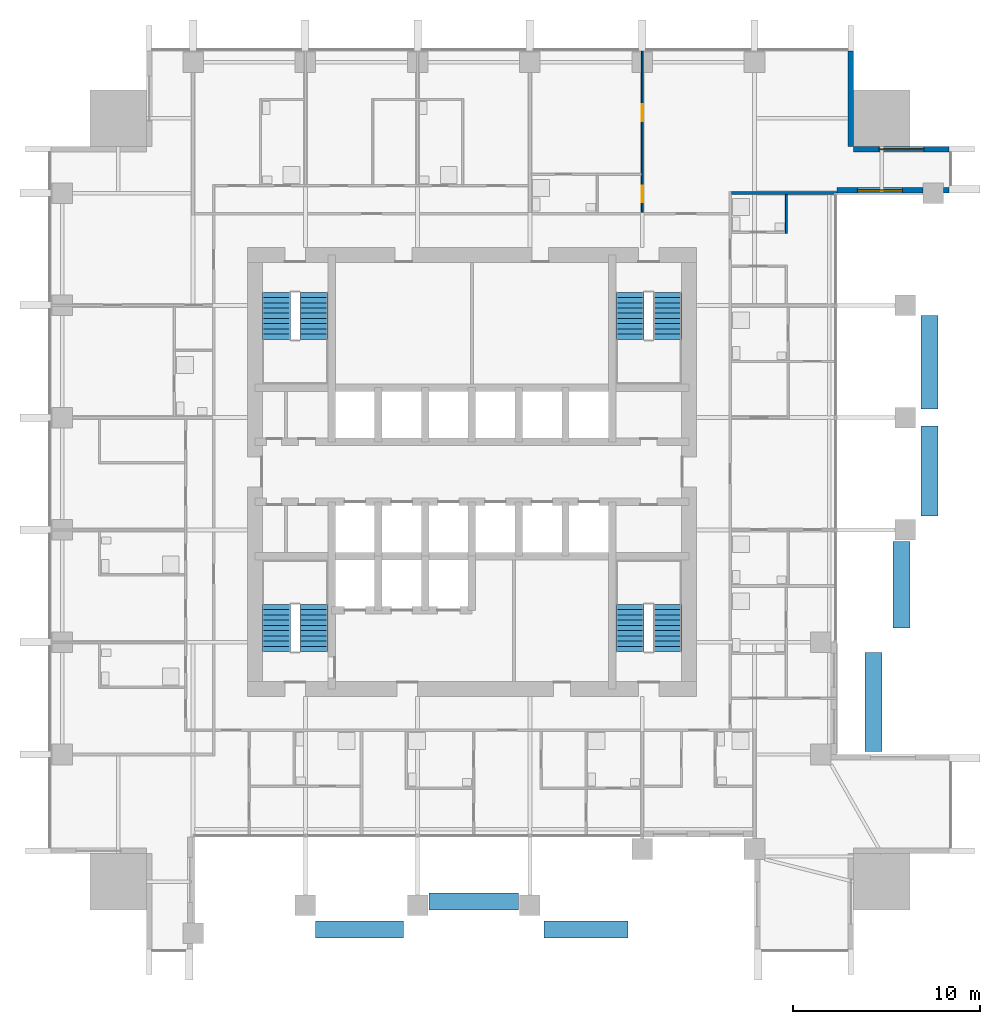
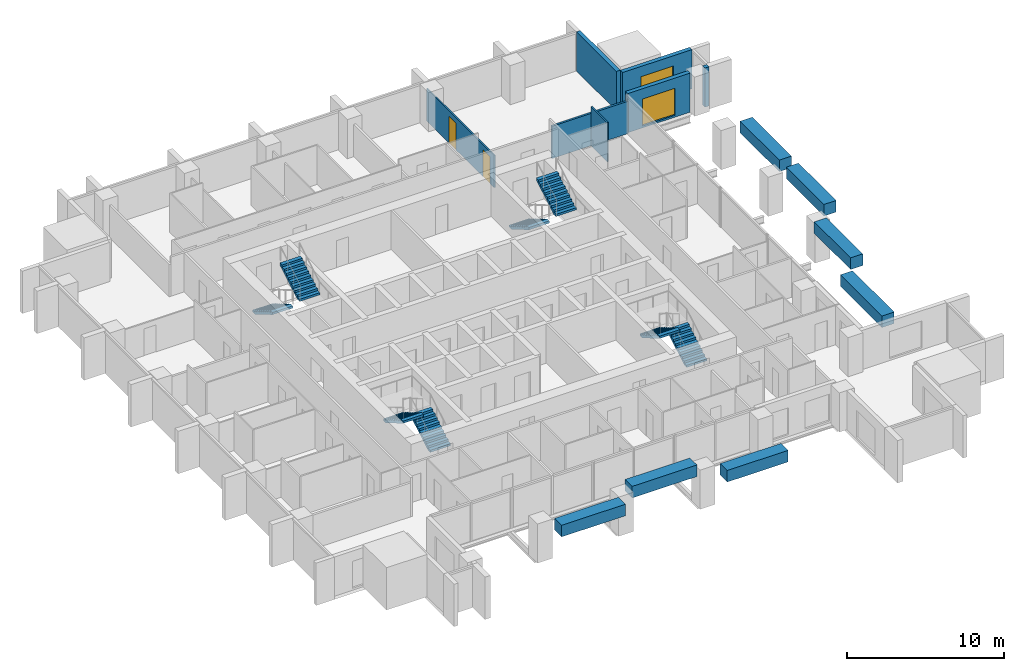
# One storey, part 11 of 13: 8 stair flights, 7 discrete accessories, 7 walls, 2 doors, 2 windows, 4 openings, 4 elements without a shape of their own.
"""IFC4 building model written with IfcOpenShell, lengths in metres."""

from ifc_helpers import new_model, si_unit, direction, frame, frame_2d, origin, origin_2d, place, context, subcontext, project, spatial, polyline, rectangle, outline, extrude, material, layer, layer_set, type_object, element, fill, aggregate, save


model = new_model("IFC4")

# Units and contexts
model_context = context("Model", 3, precision=1e-05, world=origin(), true_north=direction((0.0, 1.0)))
body_context = subcontext(model_context, "Body", "Model", "MODEL_VIEW")
ifc_project = project(units=[si_unit("LENGTHUNIT", "METRE"), si_unit("AREAUNIT", "SQUARE_METRE"), si_unit("VOLUMEUNIT", "CUBIC_METRE"), si_unit("PLANEANGLEUNIT", "RADIAN"), si_unit("MASSUNIT", "GRAM", prefix="KILO")], contexts=[model_context])

# Site, building, storey
site_placement = place(None, origin())
site = spatial("IfcSite", under=ifc_project, at=site_placement, CompositionType="ELEMENT")
building_placement = place(site_placement, origin())
building = spatial("IfcBuilding", under=site, at=building_placement, Name="Amberfall Residences", CompositionType="ELEMENT")
storey_placement = place(building_placement, frame((0.0, 0.0, 111.699951171875)))
storey = spatial("IfcBuildingStorey", under=building, at=storey_placement, Name="L30", CompositionType="ELEMENT", Elevation=111.699951171875)

# Wall, opening, window
ifc_material_1 = material(Name="Pale stone cladding on insulated backing", Category="masonry")
ifc_layer_1 = layer(ifc_material_1, 0.300048828125)
ifc_layer_set_1 = layer_set([ifc_layer_1], Name="Bronze clad wall 300")
wall_type_1 = type_object("IfcWallType", Name="Bronze clad wall 300", PredefinedType="SOLIDWALL", material=ifc_layer_set_1)
wall_1_placement = place(storey_placement, frame((94.0, 60.550048828125, 0.0), z_axis=(0.0, 0.0, 1.0), x_axis=(1.0, 0.0, 0.0)))
wall_1 = element("IfcWall", 1, at=wall_1_placement, inside=storey, type_object=wall_type_1, Name="External wall L30 E", PredefinedType="SOLIDWALL", context=body_context, shape_type="SweptSolid", body=[
    extrude(rectangle(XDim=4.60009765625, YDim=0.300048828125, at=frame_2d((2.300048828125, 0.0))), origin(), (0.0, 0.0, 1.0), 3.050048828125),
])
opening_1_placement = place(wall_1_placement, frame((1.10009765625, 0.0, 0.14990234375)))
opening_1 = element("IfcOpeningElement", 2, at=opening_1_placement, cuts=wall_1, Name="Opening WN5", PredefinedType="OPENING", context=body_context, shape_type="SweptSolid", body=[
    extrude(rectangle(XDim=2.39990234375, YDim=2.10009765625, at=frame_2d((1.199951171875, 1.050048828125))), frame((0.0, 0.159912109375, 0.0), z_axis=(0.0, -1.0, 0.0), x_axis=(1.0, 0.0, 0.0)), (0.0, 0.0, 1.0), 0.320068359375),
])
ifc_material_2 = material(Name="Bronze aluminium framed glazing", Category="aluminium")
window_type = type_object("IfcWindowType", Name="Glazed opening 2400 x 2100 bronze", PartitioningType="DOUBLE_PANEL_VERTICAL", PredefinedType="WINDOW", material=ifc_material_2)
window_1_placement = place(opening_1_placement, origin())
window_1 = element("IfcWindow", 3, at=window_1_placement, inside=storey, type_object=window_type, Name="Window L30 E", OverallHeight=2.10009765625, OverallWidth=2.39990234375, PartitioningType="DOUBLE_PANEL_VERTICAL", PredefinedType="WINDOW", context=body_context, shape_type="SweptSolid", body=[
    extrude(rectangle(XDim=2.39990234375, YDim=2.10009765625, at=frame_2d((1.199951171875, 1.050048828125))), frame((0.0, 0.030029296875, 0.0), z_axis=(0.0, -1.0, 0.0), x_axis=(1.0, 0.0, 0.0)), (0.0, 0.0, 1.0), 0.06005859375),
])
fill(opening_1, window_1)

# Wall
wall_2_placement = place(storey_placement, frame((99.699951171875, 60.550048828125, 0.0), z_axis=(0.0, 0.0, 1.0), x_axis=(1.0, 0.0, 0.0)))
element("IfcWall", 4, at=wall_2_placement, inside=storey, type_object=wall_type_1, Name="External wall L30 E", PredefinedType="SOLIDWALL", context=body_context, shape_type="SweptSolid", body=[
    extrude(rectangle(XDim=0.300048828125, YDim=0.300048828125, at=frame_2d((0.14990234375, 0.0))), origin(), (0.0, 0.0, 1.0), 3.050048828125),
])

# Wall, opening, window
wall_3_placement = place(storey_placement, frame((100.0, 62.75, 0.0), z_axis=(0.0, 0.0, 1.0), x_axis=(-1.0, 0.0, 0.0)))
wall_3 = element("IfcWall", 5, at=wall_3_placement, inside=storey, type_object=wall_type_1, Name="External wall L30 NE", PredefinedType="SOLIDWALL", context=body_context, shape_type="SweptSolid", body=[
    extrude(rectangle(XDim=5.10009765625, YDim=0.300048828125, at=frame_2d((2.550048828125, 0.0))), origin(), (0.0, 0.0, 1.0), 3.050048828125),
])
opening_2_placement = place(wall_3_placement, frame((1.35009765625, 0.0, 0.14990234375)))
opening_2 = element("IfcOpeningElement", 6, at=opening_2_placement, cuts=wall_3, Name="Opening WN5", PredefinedType="OPENING", context=body_context, shape_type="SweptSolid", body=[
    extrude(rectangle(XDim=2.39990234375, YDim=2.10009765625, at=frame_2d((1.199951171875, 1.050048828125))), frame((0.0, 0.159912109375, 0.0), z_axis=(0.0, -1.0, 0.0), x_axis=(1.0, 0.0, 0.0)), (0.0, 0.0, 1.0), 0.320068359375),
])
window_2_placement = place(opening_2_placement, origin())
window_2 = element("IfcWindow", 7, at=window_2_placement, inside=storey, type_object=window_type, Name="Window L30 NE", OverallHeight=2.10009765625, OverallWidth=2.39990234375, PartitioningType="DOUBLE_PANEL_VERTICAL", PredefinedType="WINDOW", context=body_context, shape_type="SweptSolid", body=[
    extrude(rectangle(XDim=2.39990234375, YDim=2.10009765625, at=frame_2d((1.199951171875, 1.050048828125))), frame((0.0, 0.030029296875, 0.0), z_axis=(0.0, -1.0, 0.0), x_axis=(1.0, 0.0, 0.0)), (0.0, 0.0, 1.0), 0.06005859375),
])
fill(opening_2, window_2)

# Wall
wall_4_placement = place(storey_placement, frame((94.75, 62.89990234375, 0.0), z_axis=(0.0, 0.0, 1.0), x_axis=(0.0, 1.0, 0.0)))
element("IfcWall", 8, at=wall_4_placement, inside=storey, type_object=wall_type_1, Name="External wall L30 NE", PredefinedType="SOLIDWALL", context=body_context, shape_type="SweptSolid", body=[
    extrude(rectangle(XDim=5.10009765625, YDim=0.300048828125, at=frame_2d((2.550048828125, 0.0))), origin(), (0.0, 0.0, 1.0), 3.050048828125),
])

# Wall, openings, doors
ifc_material_3 = material(Name="Gypsum board on metal stud")
ifc_layer_2 = layer(ifc_material_3, 0.10009765625)
ifc_layer_set_2 = layer_set([ifc_layer_2], Name="Flat partition 100")
wall_type_2 = type_object("IfcWallType", Name="Flat partition 100", PredefinedType="PARTITIONING", material=ifc_layer_set_2)
wall_5_placement = place(storey_placement, frame((83.60009765625, 59.375, 0.0), z_axis=(0.0, 0.0, 1.0), x_axis=(0.0, 1.0, 0.0)))
wall_5 = element("IfcWall", 9, at=wall_5_placement, inside=storey, type_object=wall_type_2, Name="Partition 019", PredefinedType="PARTITIONING", context=body_context, shape_type="SweptSolid", body=[
    extrude(rectangle(XDim=8.625, YDim=0.10009765625, at=frame_2d((4.3125, 0.0))), origin(), (0.0, 0.0, 1.0), 2.51611328125),
])
opening_3_placement = place(wall_5_placement, frame((0.52490234375, 0.0, 0.0)))
opening_3 = element("IfcOpeningElement", 10, at=opening_3_placement, cuts=wall_5, Name="Opening D41", PredefinedType="OPENING", context=body_context, shape_type="SweptSolid", body=[
    extrude(rectangle(XDim=0.89990234375, YDim=2.10009765625, at=frame_2d((0.449951171875, 1.050048828125))), frame((0.0, 0.06005859375, 0.0), z_axis=(0.0, -1.0, 0.0), x_axis=(1.0, 0.0, 0.0)), (0.0, 0.0, 1.0), 0.1201171875),
])
opening_4_placement = place(wall_5_placement, frame((4.875, 0.0, 0.0)))
opening_4 = element("IfcOpeningElement", 11, at=opening_4_placement, cuts=wall_5, Name="Opening D41", PredefinedType="OPENING", context=body_context, shape_type="SweptSolid", body=[
    extrude(rectangle(XDim=0.89990234375, YDim=2.10009765625, at=frame_2d((0.449951171875, 1.050048828125))), frame((0.0, 0.06005859375, 0.0), z_axis=(0.0, -1.0, 0.0), x_axis=(1.0, 0.0, 0.0)), (0.0, 0.0, 1.0), 0.1201171875),
])
ifc_material_4 = material(Name="Timber", Category="wood")
door_type = type_object("IfcDoorType", Name="Internal door 900 x 2100", OperationType="SINGLE_SWING_LEFT", PredefinedType="DOOR", material=ifc_material_4)
door_1_placement = place(opening_3_placement, origin())
door_1 = element("IfcDoor", 12, at=door_1_placement, inside=storey, type_object=door_type, Name="Door 3008 kitchen", OperationType="SINGLE_SWING_LEFT", OverallHeight=2.10009765625, OverallWidth=0.89990234375, PredefinedType="DOOR", context=body_context, shape_type="SweptSolid", body=[
    extrude(rectangle(XDim=0.89990234375, YDim=2.10009765625, at=frame_2d((0.449951171875, 1.050048828125))), frame((0.0, 0.02490234375, 0.0), z_axis=(0.0, -1.0, 0.0), x_axis=(1.0, 0.0, 0.0)), (0.0, 0.0, 1.0), 0.050048828125),
])
fill(opening_3, door_1)
door_2_placement = place(opening_4_placement, origin())
door_2 = element("IfcDoor", 13, at=door_2_placement, inside=storey, type_object=door_type, Name="Door 3008 bedroom1", OperationType="SINGLE_SWING_LEFT", OverallHeight=2.10009765625, OverallWidth=0.89990234375, PredefinedType="DOOR", context=body_context, shape_type="SweptSolid", body=[
    extrude(rectangle(XDim=0.89990234375, YDim=2.10009765625, at=frame_2d((0.449951171875, 1.050048828125))), frame((0.0, 0.02490234375, 0.0), z_axis=(0.0, -1.0, 0.0), x_axis=(1.0, 0.0, 0.0)), (0.0, 0.0, 1.0), 0.050048828125),
])
fill(opening_4, door_2)

# Walls
wall_6_placement = place(storey_placement, frame((91.300048828125, 58.25, 0.0), z_axis=(0.0, 0.0, 1.0), x_axis=(0.0, 1.0, 0.0)))
element("IfcWall", 14, at=wall_6_placement, inside=storey, type_object=wall_type_2, Name="Partition 024", PredefinedType="PARTITIONING", context=body_context, shape_type="SweptSolid", body=[
    extrude(rectangle(XDim=2.074951171875, YDim=0.10009765625, at=frame_2d((1.03759765625, 0.0))), origin(), (0.0, 0.0, 1.0), 3.050048828125),
])
ifc_material_5 = material(Name="Blockwork, plastered", Category="masonry")
ifc_layer_3 = layer(ifc_material_5, 0.14990234375)
ifc_layer_set_3 = layer_set([ifc_layer_3], Name="Flat separating wall 150")
wall_type_3 = type_object("IfcWallType", Name="Flat separating wall 150", PredefinedType="PARTITIONING", material=ifc_layer_set_3)
wall_7_placement = place(storey_placement, frame((88.375, 60.39990234375, 0.0), z_axis=(0.0, 0.0, 1.0), x_axis=(1.0, 0.0, 0.0)))
element("IfcWall", 15, at=wall_7_placement, inside=storey, type_object=wall_type_3, Name="Separating wall 058", PredefinedType="PARTITIONING", context=body_context, shape_type="SweptSolid", body=[
    extrude(rectangle(XDim=5.625, YDim=0.14990234375, at=frame_2d((2.8125, 0.0))), origin(), (0.0, 0.0, 1.0), 2.51611328125),
])

# Stair, stair flights
ifc_material_6 = material(Name="Concrete C40", Category="concrete")
stair_type = type_object("IfcStairType", Name="Exit stair 20 risers 165.0 mm", PredefinedType="HALF_TURN_STAIR", material=ifc_material_6)
stair_1_placement = place(storey_placement, origin())
stair_1 = element("IfcStair", 16, at=stair_1_placement, inside=storey, type_object=stair_type, Name="L30 Exit stair 1", PredefinedType="HALF_TURN_STAIR")
stair_flight_type = type_object("IfcStairFlightType", Name="Stair flight 10 risers 165.0 mm", PredefinedType="STRAIGHT", material=ifc_material_6)
stair_flight_1_placement = place(storey_placement, frame((66.050048828125, 35.89990234375, 0.0), z_axis=(0.0, 0.0, 1.0), x_axis=(0.0, 1.0, 0.0)))
stair_flight_1 = element("IfcStairFlight", 17, at=stair_flight_1_placement, type_object=stair_flight_type, Name="ST3 flight 1", NumberOfRisers=10, NumberOfTreads=9, PredefinedType="STRAIGHT", RiserHeight=0.165, TreadLength=0.28, context=body_context, shape_type="SweptSolid", body=[
    extrude(outline(polyline([(0.0, 0.0), (0.0, 0.1650390625), (0.280029296875, 0.1650390625), (0.280029296875, 0.330078125), (0.56005859375, 0.330078125), (0.56005859375, 0.4951171875), (0.840087890625, 0.4951171875), (0.840087890625, 0.659912109375), (1.1201171875, 0.659912109375), (1.1201171875, 0.824951171875), (1.39990234375, 0.824951171875), (1.39990234375, 0.989990234375), (1.679931640625, 0.989990234375), (1.679931640625, 1.155029296875), (1.9599609375, 1.155029296875), (1.9599609375, 1.320068359375), (2.239990234375, 1.320068359375), (2.239990234375, 1.485107421875), (2.52001953125, 1.485107421875), (2.52001953125, 1.64990234375), (2.52001953125, 1.31103515625), (0.295166015625, 0.0), (0.0, 0.0)])), frame((0.0, 0.75, 0.0), z_axis=(0.0, -1.0, 0.0), x_axis=(1.0, 0.0, 0.0)), (0.0, 0.0, 1.0), 1.5),
])
stair_flight_2_placement = place(storey_placement, frame((64.050048828125, 38.419921875, 1.650146484375), z_axis=(0.0, 0.0, 1.0), x_axis=(0.0, -1.0, 0.0)))
stair_flight_2 = element("IfcStairFlight", 18, at=stair_flight_2_placement, type_object=stair_flight_type, Name="ST3 flight 2", NumberOfRisers=10, NumberOfTreads=9, PredefinedType="STRAIGHT", RiserHeight=0.165, TreadLength=0.28, context=body_context, shape_type="SweptSolid", body=[
    extrude(outline(polyline([(0.0, 0.0), (0.0, 0.1650390625), (0.280029296875, 0.1650390625), (0.280029296875, 0.330078125), (0.56005859375, 0.330078125), (0.56005859375, 0.4951171875), (0.840087890625, 0.4951171875), (0.840087890625, 0.659912109375), (1.1201171875, 0.659912109375), (1.1201171875, 0.824951171875), (1.39990234375, 0.824951171875), (1.39990234375, 0.989990234375), (1.679931640625, 0.989990234375), (1.679931640625, 1.155029296875), (1.9599609375, 1.155029296875), (1.9599609375, 1.320068359375), (2.239990234375, 1.320068359375), (2.239990234375, 1.485107421875), (2.52001953125, 1.485107421875), (2.52001953125, 1.64990234375), (2.52001953125, 1.31103515625), (0.295166015625, 0.0), (0.0, 0.0)])), frame((0.0, 0.75, 0.0), z_axis=(0.0, -1.0, 0.0), x_axis=(1.0, 0.0, 0.0)), (0.0, 0.0, 1.0), 1.5),
])
aggregate(stair_1, [stair_flight_1, stair_flight_2])

stair_2_placement = place(storey_placement, origin())
stair_2 = element("IfcStair", 19, at=stair_2_placement, inside=storey, type_object=stair_type, Name="L30 Exit stair 2", PredefinedType="HALF_TURN_STAIR")
stair_flight_3_placement = place(storey_placement, frame((84.949951171875, 35.89990234375, 0.0), z_axis=(0.0, 0.0, 1.0), x_axis=(0.0, 1.0, 0.0)))
stair_flight_3 = element("IfcStairFlight", 20, at=stair_flight_3_placement, type_object=stair_flight_type, Name="ST3 flight 1", NumberOfRisers=10, NumberOfTreads=9, PredefinedType="STRAIGHT", RiserHeight=0.165, TreadLength=0.28, context=body_context, shape_type="SweptSolid", body=[
    extrude(outline(polyline([(0.0, 0.0), (0.0, 0.1650390625), (0.280029296875, 0.1650390625), (0.280029296875, 0.330078125), (0.56005859375, 0.330078125), (0.56005859375, 0.4951171875), (0.840087890625, 0.4951171875), (0.840087890625, 0.659912109375), (1.1201171875, 0.659912109375), (1.1201171875, 0.824951171875), (1.39990234375, 0.824951171875), (1.39990234375, 0.989990234375), (1.679931640625, 0.989990234375), (1.679931640625, 1.155029296875), (1.9599609375, 1.155029296875), (1.9599609375, 1.320068359375), (2.239990234375, 1.320068359375), (2.239990234375, 1.485107421875), (2.52001953125, 1.485107421875), (2.52001953125, 1.64990234375), (2.52001953125, 1.31103515625), (0.295166015625, 0.0), (0.0, 0.0)])), frame((0.0, 0.75, 0.0), z_axis=(0.0, -1.0, 0.0), x_axis=(1.0, 0.0, 0.0)), (0.0, 0.0, 1.0), 1.5),
])
stair_flight_4_placement = place(storey_placement, frame((82.949951171875, 38.419921875, 1.650146484375), z_axis=(0.0, 0.0, 1.0), x_axis=(0.0, -1.0, 0.0)))
stair_flight_4 = element("IfcStairFlight", 21, at=stair_flight_4_placement, type_object=stair_flight_type, Name="ST3 flight 2", NumberOfRisers=10, NumberOfTreads=9, PredefinedType="STRAIGHT", RiserHeight=0.165, TreadLength=0.28, context=body_context, shape_type="SweptSolid", body=[
    extrude(outline(polyline([(0.0, 0.0), (0.0, 0.1650390625), (0.280029296875, 0.1650390625), (0.280029296875, 0.330078125), (0.56005859375, 0.330078125), (0.56005859375, 0.4951171875), (0.840087890625, 0.4951171875), (0.840087890625, 0.659912109375), (1.1201171875, 0.659912109375), (1.1201171875, 0.824951171875), (1.39990234375, 0.824951171875), (1.39990234375, 0.989990234375), (1.679931640625, 0.989990234375), (1.679931640625, 1.155029296875), (1.9599609375, 1.155029296875), (1.9599609375, 1.320068359375), (2.239990234375, 1.320068359375), (2.239990234375, 1.485107421875), (2.52001953125, 1.485107421875), (2.52001953125, 1.64990234375), (2.52001953125, 1.31103515625), (0.295166015625, 0.0), (0.0, 0.0)])), frame((0.0, 0.75, 0.0), z_axis=(0.0, -1.0, 0.0), x_axis=(1.0, 0.0, 0.0)), (0.0, 0.0, 1.0), 1.5),
])
aggregate(stair_2, [stair_flight_3, stair_flight_4])

stair_3_placement = place(storey_placement, origin())
stair_3 = element("IfcStair", 22, at=stair_3_placement, inside=storey, type_object=stair_type, Name="L30 Exit stair 3", PredefinedType="HALF_TURN_STAIR")
stair_flight_5_placement = place(storey_placement, frame((82.949951171875, 55.10009765625, 0.0), z_axis=(0.0, 0.0, 1.0), x_axis=(0.0, -1.0, 0.0)))
stair_flight_5 = element("IfcStairFlight", 23, at=stair_flight_5_placement, type_object=stair_flight_type, Name="ST3 flight 1", NumberOfRisers=10, NumberOfTreads=9, PredefinedType="STRAIGHT", RiserHeight=0.165, TreadLength=0.28, context=body_context, shape_type="SweptSolid", body=[
    extrude(outline(polyline([(0.0, 0.0), (0.0, 0.1650390625), (0.280029296875, 0.1650390625), (0.280029296875, 0.330078125), (0.56005859375, 0.330078125), (0.56005859375, 0.4951171875), (0.840087890625, 0.4951171875), (0.840087890625, 0.659912109375), (1.1201171875, 0.659912109375), (1.1201171875, 0.824951171875), (1.39990234375, 0.824951171875), (1.39990234375, 0.989990234375), (1.679931640625, 0.989990234375), (1.679931640625, 1.155029296875), (1.9599609375, 1.155029296875), (1.9599609375, 1.320068359375), (2.239990234375, 1.320068359375), (2.239990234375, 1.485107421875), (2.52001953125, 1.485107421875), (2.52001953125, 1.64990234375), (2.52001953125, 1.31103515625), (0.295166015625, 0.0), (0.0, 0.0)])), frame((0.0, 0.75, 0.0), z_axis=(0.0, -1.0, 0.0), x_axis=(1.0, 0.0, 0.0)), (0.0, 0.0, 1.0), 1.5),
])
stair_flight_6_placement = place(storey_placement, frame((84.949951171875, 52.580078125, 1.650146484375), z_axis=(0.0, 0.0, 1.0), x_axis=(0.0, 1.0, 0.0)))
stair_flight_6 = element("IfcStairFlight", 24, at=stair_flight_6_placement, type_object=stair_flight_type, Name="ST3 flight 2", NumberOfRisers=10, NumberOfTreads=9, PredefinedType="STRAIGHT", RiserHeight=0.165, TreadLength=0.28, context=body_context, shape_type="SweptSolid", body=[
    extrude(outline(polyline([(0.0, 0.0), (0.0, 0.1650390625), (0.280029296875, 0.1650390625), (0.280029296875, 0.330078125), (0.56005859375, 0.330078125), (0.56005859375, 0.4951171875), (0.840087890625, 0.4951171875), (0.840087890625, 0.659912109375), (1.1201171875, 0.659912109375), (1.1201171875, 0.824951171875), (1.39990234375, 0.824951171875), (1.39990234375, 0.989990234375), (1.679931640625, 0.989990234375), (1.679931640625, 1.155029296875), (1.9599609375, 1.155029296875), (1.9599609375, 1.320068359375), (2.239990234375, 1.320068359375), (2.239990234375, 1.485107421875), (2.52001953125, 1.485107421875), (2.52001953125, 1.64990234375), (2.52001953125, 1.31103515625), (0.295166015625, 0.0), (0.0, 0.0)])), frame((0.0, 0.75, 0.0), z_axis=(0.0, -1.0, 0.0), x_axis=(1.0, 0.0, 0.0)), (0.0, 0.0, 1.0), 1.5),
])
aggregate(stair_3, [stair_flight_5, stair_flight_6])

stair_4_placement = place(storey_placement, origin())
stair_4 = element("IfcStair", 25, at=stair_4_placement, inside=storey, type_object=stair_type, Name="L30 Exit stair 4", PredefinedType="HALF_TURN_STAIR")
stair_flight_7_placement = place(storey_placement, frame((64.050048828125, 55.10009765625, 0.0), z_axis=(0.0, 0.0, 1.0), x_axis=(0.0, -1.0, 0.0)))
stair_flight_7 = element("IfcStairFlight", 26, at=stair_flight_7_placement, type_object=stair_flight_type, Name="ST3 flight 1", NumberOfRisers=10, NumberOfTreads=9, PredefinedType="STRAIGHT", RiserHeight=0.165, TreadLength=0.28, context=body_context, shape_type="SweptSolid", body=[
    extrude(outline(polyline([(0.0, 0.0), (0.0, 0.1650390625), (0.280029296875, 0.1650390625), (0.280029296875, 0.330078125), (0.56005859375, 0.330078125), (0.56005859375, 0.4951171875), (0.840087890625, 0.4951171875), (0.840087890625, 0.659912109375), (1.1201171875, 0.659912109375), (1.1201171875, 0.824951171875), (1.39990234375, 0.824951171875), (1.39990234375, 0.989990234375), (1.679931640625, 0.989990234375), (1.679931640625, 1.155029296875), (1.9599609375, 1.155029296875), (1.9599609375, 1.320068359375), (2.239990234375, 1.320068359375), (2.239990234375, 1.485107421875), (2.52001953125, 1.485107421875), (2.52001953125, 1.64990234375), (2.52001953125, 1.31103515625), (0.295166015625, 0.0), (0.0, 0.0)])), frame((0.0, 0.75, 0.0), z_axis=(0.0, -1.0, 0.0), x_axis=(1.0, 0.0, 0.0)), (0.0, 0.0, 1.0), 1.5),
])
stair_flight_8_placement = place(storey_placement, frame((66.050048828125, 52.580078125, 1.650146484375), z_axis=(0.0, 0.0, 1.0), x_axis=(0.0, 1.0, 0.0)))
stair_flight_8 = element("IfcStairFlight", 27, at=stair_flight_8_placement, type_object=stair_flight_type, Name="ST3 flight 2", NumberOfRisers=10, NumberOfTreads=9, PredefinedType="STRAIGHT", RiserHeight=0.165, TreadLength=0.28, context=body_context, shape_type="SweptSolid", body=[
    extrude(outline(polyline([(0.0, 0.0), (0.0, 0.1650390625), (0.280029296875, 0.1650390625), (0.280029296875, 0.330078125), (0.56005859375, 0.330078125), (0.56005859375, 0.4951171875), (0.840087890625, 0.4951171875), (0.840087890625, 0.659912109375), (1.1201171875, 0.659912109375), (1.1201171875, 0.824951171875), (1.39990234375, 0.824951171875), (1.39990234375, 0.989990234375), (1.679931640625, 0.989990234375), (1.679931640625, 1.155029296875), (1.9599609375, 1.155029296875), (1.9599609375, 1.320068359375), (2.239990234375, 1.320068359375), (2.239990234375, 1.485107421875), (2.52001953125, 1.485107421875), (2.52001953125, 1.64990234375), (2.52001953125, 1.31103515625), (0.295166015625, 0.0), (0.0, 0.0)])), frame((0.0, 0.75, 0.0), z_axis=(0.0, -1.0, 0.0), x_axis=(1.0, 0.0, 0.0)), (0.0, 0.0, 1.0), 1.5),
])
aggregate(stair_4, [stair_flight_7, stair_flight_8])

# Discrete accessories
discrete_accessory_1_placement = place(storey_placement, frame((98.949951171875, 45.550048828125, 2.400146484375), z_axis=(0.0, 0.0, 1.0), x_axis=(0.0, 1.0, 0.0)))
element("IfcDiscreteAccessory", 28, at=discrete_accessory_1_placement, inside=storey, Name="Planter box L31 E7", ObjectType="PLANTER BOX", PredefinedType="USERDEFINED", context=body_context, shape_type="SweptSolid", body=[
    extrude(rectangle(XDim=4.800048828125, YDim=0.89990234375, at=origin_2d()), origin(), (0.0, 0.0, 1.0), 0.89990234375),
])
discrete_accessory_2_placement = place(storey_placement, frame((98.949951171875, 51.35498046875, 2.400146484375), z_axis=(0.0, 0.0, 1.0), x_axis=(0.0, 1.0, 0.0)))
element("IfcDiscreteAccessory", 29, at=discrete_accessory_2_placement, inside=storey, Name="Planter box L31 E8", ObjectType="PLANTER BOX", PredefinedType="USERDEFINED", context=body_context, shape_type="SweptSolid", body=[
    extrude(rectangle(XDim=5.010009765625, YDim=0.89990234375, at=origin_2d()), origin(), (0.0, 0.0, 1.0), 0.89990234375),
])
discrete_accessory_3_placement = place(storey_placement, frame((68.4951171875, 21.050048828125, 2.400146484375), z_axis=(0.0, 0.0, 1.0), x_axis=(1.0, 0.0, 0.0)))
element("IfcDiscreteAccessory", 30, at=discrete_accessory_3_placement, inside=storey, Name="Planter box L31 S3", ObjectType="PLANTER BOX", PredefinedType="USERDEFINED", context=body_context, shape_type="SweptSolid", body=[
    extrude(rectangle(XDim=4.7099609375, YDim=0.89990234375, at=origin_2d()), origin(), (0.0, 0.0, 1.0), 0.89990234375),
])
discrete_accessory_4_placement = place(storey_placement, frame((74.60009765625, 22.550048828125, 2.400146484375), z_axis=(0.0, 0.0, 1.0), x_axis=(1.0, 0.0, 0.0)))
element("IfcDiscreteAccessory", 31, at=discrete_accessory_4_placement, inside=storey, Name="Planter box L31 S5", ObjectType="PLANTER BOX", PredefinedType="USERDEFINED", context=body_context, shape_type="SweptSolid", body=[
    extrude(rectangle(XDim=4.780029296875, YDim=0.89990234375, at=origin_2d()), origin(), (0.0, 0.0, 1.0), 0.89990234375),
])
discrete_accessory_5_placement = place(storey_placement, frame((80.60009765625, 21.050048828125, 2.400146484375), z_axis=(0.0, 0.0, 1.0), x_axis=(1.0, 0.0, 0.0)))
element("IfcDiscreteAccessory", 32, at=discrete_accessory_5_placement, inside=storey, Name="Planter box L31 S7", ObjectType="PLANTER BOX", PredefinedType="USERDEFINED", context=body_context, shape_type="SweptSolid", body=[
    extrude(rectangle(XDim=4.5, YDim=0.89990234375, at=origin_2d()), origin(), (0.0, 0.0, 1.0), 0.89990234375),
])
discrete_accessory_6_placement = place(storey_placement, frame((97.449951171875, 39.469970703125, 2.400146484375), z_axis=(0.0, 0.0, 1.0), x_axis=(0.0, 1.0, 0.0)))
element("IfcDiscreteAccessory", 33, at=discrete_accessory_6_placement, inside=storey, Name="Planter box L31 E5", ObjectType="PLANTER BOX", PredefinedType="USERDEFINED", context=body_context, shape_type="SweptSolid", body=[
    extrude(rectangle(XDim=4.639892578125, YDim=0.89990234375, at=origin_2d()), origin(), (0.0, 0.0, 1.0), 0.89990234375),
])
discrete_accessory_7_placement = place(storey_placement, frame((95.949951171875, 33.205078125, 2.400146484375), z_axis=(0.0, 0.0, 1.0), x_axis=(0.0, 1.0, 0.0)))
element("IfcDiscreteAccessory", 34, at=discrete_accessory_7_placement, inside=storey, Name="Planter box L31 E3", ObjectType="PLANTER BOX", PredefinedType="USERDEFINED", context=body_context, shape_type="SweptSolid", body=[
    extrude(rectangle(XDim=5.31005859375, YDim=0.89990234375, at=origin_2d()), origin(), (0.0, 0.0, 1.0), 0.89990234375),
])

save(model, "model.ifc")
